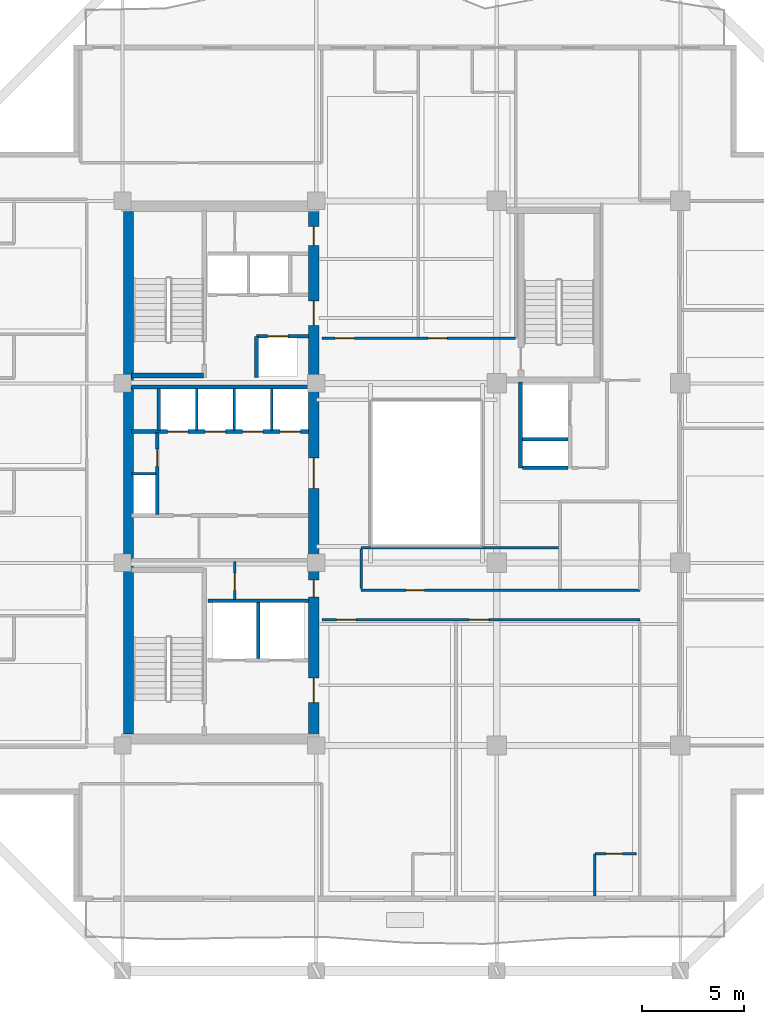
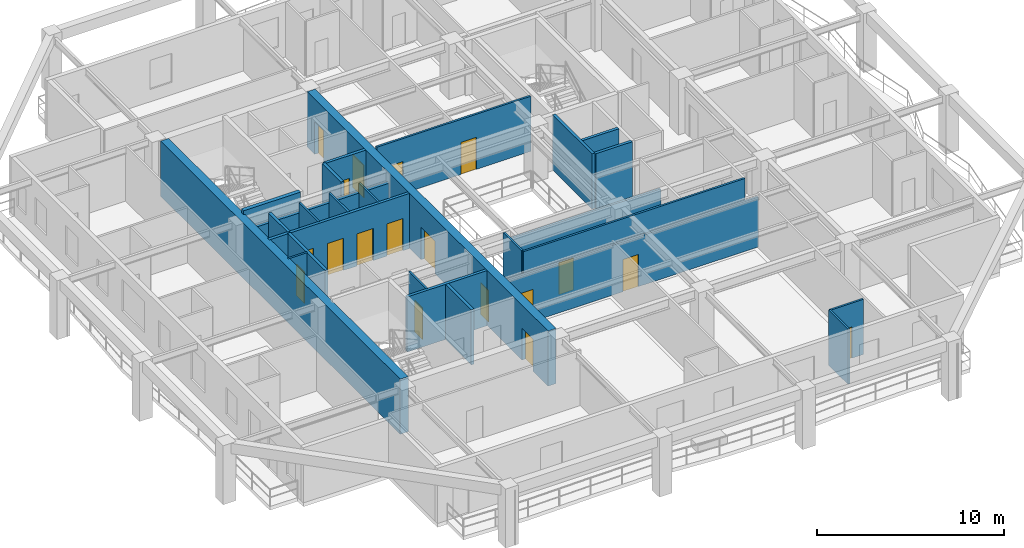
# One storey, part 4 of 13: 26 walls, 18 doors, 18 openings.
"""IFC4 building model written with IfcOpenShell, lengths in metres."""

from ifc_helpers import new_model, si_unit, direction, frame, frame_2d, origin, place, context, subcontext, project, spatial, rectangle, extrude, material, layer, layer_set, type_object, element, fill, save


model = new_model("IFC4")

# Units and contexts
model_context = context("Model", 3, precision=1e-05, world=origin(), true_north=direction((0.0, 1.0)))
body_context = subcontext(model_context, "Body", "Model", "MODEL_VIEW")
ifc_project = project(units=[si_unit("LENGTHUNIT", "METRE"), si_unit("AREAUNIT", "SQUARE_METRE"), si_unit("VOLUMEUNIT", "CUBIC_METRE"), si_unit("PLANEANGLEUNIT", "RADIAN"), si_unit("MASSUNIT", "GRAM", prefix="KILO")], contexts=[model_context])

# Site, building, storey
site_placement = place(None, origin())
site = spatial("IfcSite", under=ifc_project, at=site_placement, CompositionType="ELEMENT")
building_placement = place(site_placement, origin())
building = spatial("IfcBuilding", under=site, at=building_placement, Name="Kundavana Baori Tower", CompositionType="ELEMENT")
storey_placement = place(building_placement, frame((0.0, 0.0, 169.449951171875)))
storey = spatial("IfcBuildingStorey", under=building, at=storey_placement, Name="L41", CompositionType="ELEMENT", Elevation=169.449951171875)

# Walls
ifc_material_1 = material(Name="Concrete C50/60", Category="concrete")
ifc_layer_1 = layer(ifc_material_1, 0.39990234375, Name="WL-CORE-400")
ifc_layer_set_1 = layer_set([ifc_layer_1], Name="Concrete C50/60")
wall_type_1 = type_object("IfcWallType", Name="WL-CORE-400", PredefinedType="SHEAR", material=ifc_layer_set_1)
wall_1_placement = place(storey_placement, frame((15.89990234375, 33.389892578125, 0.0), z_axis=(0.0, 0.0, 1.0), x_axis=(1.0, 0.0, 0.0)))
element("IfcWall", 1, at=wall_1_placement, inside=storey, type_object=wall_type_1, Name="WL-L41-ST2-S", PredefinedType="SHEAR", context=body_context, shape_type="SweptSolid", body=[
    extrude(rectangle(XDim=3.52001953125, YDim=0.239990234375, at=frame_2d((1.760009765625, 0.0))), origin(), (0.0, 0.0, 1.0), 3.85009765625),
])
ifc_material_2 = material(Name="Concrete C50/60", Category="concrete")
ifc_layer_2 = layer(ifc_material_2, 0.5, Name="WL-CORE-500")
ifc_layer_set_2 = layer_set([ifc_layer_2], Name="Concrete C50/60")
wall_type_2 = type_object("IfcWallType", Name="WL-CORE-500", PredefinedType="SHEAR", material=ifc_layer_set_2)
wall_2_placement = place(storey_placement, frame((15.739990234375, 15.81005859375, 0.0), z_axis=(0.0, 0.0, 1.0), x_axis=(0.0, 1.0, 0.0)))
element("IfcWall", 2, at=wall_2_placement, inside=storey, type_object=wall_type_2, Name="L41 Offset Core West Shear Wall", PredefinedType="SHEAR", context=body_context, shape_type="SweptSolid", body=[
    extrude(rectangle(XDim=25.6298828125, YDim=0.5, at=frame_2d((12.81494140625, 0.0))), origin(), (0.0, 0.0, 1.0), 3.60009765625),
])

# Wall, openings, doors
wall_3_placement = place(storey_placement, frame((24.830078125, 15.739990234375, 0.0), z_axis=(0.0, 0.0, 1.0), x_axis=(0.0, 1.0, 0.0)))
wall_3 = element("IfcWall", 3, at=wall_3_placement, inside=storey, type_object=wall_type_2, Name="L41 Offset Core East Shear Wall", PredefinedType="SHEAR", context=body_context, shape_type="SweptSolid", body=[
    extrude(rectangle(XDim=25.760009765625, YDim=0.5, at=frame_2d((12.8798828125, 0.0))), origin(), (0.0, 0.0, 1.0), 3.60009765625),
])
opening_1_placement = place(wall_3_placement, frame((1.610107421875, 0.0, 0.0)))
opening_1 = element("IfcOpeningElement", 4, at=opening_1_placement, cuts=wall_3, Name="Opening FD-120", PredefinedType="OPENING", context=body_context, shape_type="SweptSolid", body=[
    extrude(rectangle(XDim=1.199951171875, YDim=2.10009765625, at=frame_2d((0.60009765625, 1.050048828125))), frame((0.0, 0.260009765625, 0.0), z_axis=(0.0, -1.0, 0.0), x_axis=(1.0, 0.0, 0.0)), (0.0, 0.0, 1.0), 0.52001953125),
])
opening_2_placement = place(wall_3_placement, frame((6.780029296875, 0.0, 0.0)))
opening_2 = element("IfcOpeningElement", 5, at=opening_2_placement, cuts=wall_3, Name="Opening FD-085", PredefinedType="OPENING", context=body_context, shape_type="SweptSolid", body=[
    extrude(rectangle(XDim=0.85009765625, YDim=2.06005859375, at=frame_2d((0.425048828125, 1.030029296875))), frame((0.0, 0.260009765625, 0.0), z_axis=(0.0, -1.0, 0.0), x_axis=(1.0, 0.0, 0.0)), (0.0, 0.0, 1.0), 0.52001953125),
])
opening_3_placement = place(wall_3_placement, frame((12.110107421875, 0.0, 0.0)))
opening_3 = element("IfcOpeningElement", 6, at=opening_3_placement, cuts=wall_3, Name="Opening FD-150", PredefinedType="OPENING", context=body_context, shape_type="SweptSolid", body=[
    extrude(rectangle(XDim=1.5, YDim=2.1201171875, at=frame_2d((0.75, 1.06005859375))), frame((0.0, 0.260009765625, 0.0), z_axis=(0.0, -1.0, 0.0), x_axis=(1.0, 0.0, 0.0)), (0.0, 0.0, 1.0), 0.52001953125),
])
opening_4_placement = place(wall_3_placement, frame((20.110107421875, 0.0, 0.0)))
opening_4 = element("IfcOpeningElement", 7, at=opening_4_placement, cuts=wall_3, Name="Opening FD-122", PredefinedType="OPENING", context=body_context, shape_type="SweptSolid", body=[
    extrude(rectangle(XDim=1.199951171875, YDim=2.1201171875, at=frame_2d((0.60009765625, 1.06005859375))), frame((0.0, 0.260009765625, 0.0), z_axis=(0.0, -1.0, 0.0), x_axis=(1.0, 0.0, 0.0)), (0.0, 0.0, 1.0), 0.52001953125),
])
opening_5_placement = place(wall_3_placement, frame((24.010009765625, 0.0, 0.0)))
opening_5 = element("IfcOpeningElement", 8, at=opening_5_placement, cuts=wall_3, Name="Opening FD-095", PredefinedType="OPENING", context=body_context, shape_type="SweptSolid", body=[
    extrude(rectangle(XDim=0.949951171875, YDim=2.10009765625, at=frame_2d((0.47509765625, 1.050048828125))), frame((0.0, 0.260009765625, 0.0), z_axis=(0.0, -1.0, 0.0), x_axis=(1.0, 0.0, 0.0)), (0.0, 0.0, 1.0), 0.52001953125),
])
ifc_material_3 = material(Name="Galvanised Steel Fire-Rated Door Leaf", Category="steel")
door_type_1 = type_object("IfcDoorType", Name="DR-FD120-1200", OperationType="NOTDEFINED", PredefinedType="DOOR", material=ifc_material_3)
door_1_placement = place(opening_1_placement, frame((1.199951171875, 0.0, 0.0), z_axis=(0.0, 0.0, 1.0), x_axis=(-1.0, 0.0, 0.0)))
door_1 = element("IfcDoor", 9, at=door_1_placement, inside=storey, type_object=door_type_1, Name="DR-L41-FFLOB-E", OperationType="SINGLE_SWING_RIGHT", OverallHeight=2.10009765625, OverallWidth=1.199951171875, PredefinedType="DOOR", context=body_context, shape_type="SweptSolid", body=[
    extrude(rectangle(XDim=1.199951171875, YDim=2.10009765625, at=frame_2d((0.60009765625, 1.050048828125))), frame((0.0, 0.02490234375, 0.0), z_axis=(0.0, -1.0, 0.0), x_axis=(1.0, 0.0, 0.0)), (0.0, 0.0, 1.0), 0.050048828125),
])
fill(opening_1, door_1)
ifc_material_4 = material(Name="Galvanised Steel Fire-Rated Door Leaf", Category="steel")
door_type_2 = type_object("IfcDoorType", Name="DR-FD60-1200", OperationType="NOTDEFINED", PredefinedType="DOOR", material=ifc_material_4)
door_2_placement = place(opening_4_placement, frame((1.199951171875, 0.0, 0.0), z_axis=(0.0, 0.0, 1.0), x_axis=(-1.0, 0.0, 0.0)))
door_2 = element("IfcDoor", 10, at=door_2_placement, inside=storey, type_object=door_type_2, Name="DR-L41-HRLOB-E", OperationType="SINGLE_SWING_RIGHT", OverallHeight=2.1201171875, OverallWidth=1.199951171875, PredefinedType="DOOR", context=body_context, shape_type="SweptSolid", body=[
    extrude(rectangle(XDim=1.199951171875, YDim=2.1201171875, at=frame_2d((0.60009765625, 1.06005859375))), frame((0.0, 0.02490234375, 0.0), z_axis=(0.0, -1.0, 0.0), x_axis=(1.0, 0.0, 0.0)), (0.0, 0.0, 1.0), 0.050048828125),
])
fill(opening_4, door_2)
ifc_material_5 = material(Name="Galvanised Steel Fire-Rated Door Leaf", Category="steel")
door_type_3 = type_object("IfcDoorType", Name="DR-FD60-1500", OperationType="NOTDEFINED", PredefinedType="DOOR", material=ifc_material_5)
door_3_placement = place(opening_3_placement, frame((1.5, 0.0, 0.0), z_axis=(0.0, 0.0, 1.0), x_axis=(-1.0, 0.0, 0.0)))
door_3 = element("IfcDoor", 11, at=door_3_placement, inside=storey, type_object=door_type_3, Name="DR-L41-LIFTHALL-E", OperationType="SINGLE_SWING_LEFT", OverallHeight=2.1201171875, OverallWidth=1.5, PredefinedType="DOOR", context=body_context, shape_type="SweptSolid", body=[
    extrude(rectangle(XDim=1.5, YDim=2.1201171875, at=frame_2d((0.75, 1.06005859375))), frame((0.0, 0.02490234375, 0.0), z_axis=(0.0, -1.0, 0.0), x_axis=(1.0, 0.0, 0.0)), (0.0, 0.0, 1.0), 0.050048828125),
])
fill(opening_3, door_3)
ifc_material_6 = material(Name="Galvanised Steel Fire-Rated Door Leaf", Category="steel")
door_type_4 = type_object("IfcDoorType", Name="DR-FD60-850", OperationType="NOTDEFINED", PredefinedType="DOOR", material=ifc_material_6)
door_4_placement = place(opening_2_placement, frame((0.85009765625, 0.0, 0.0), z_axis=(0.0, 0.0, 1.0), x_axis=(-1.0, 0.0, 0.0)))
door_4 = element("IfcDoor", 12, at=door_4_placement, inside=storey, type_object=door_type_4, Name="DR-L41-CSMK2", OperationType="SINGLE_SWING_LEFT", OverallHeight=2.06005859375, OverallWidth=0.85009765625, PredefinedType="DOOR", context=body_context, shape_type="SweptSolid", body=[
    extrude(rectangle(XDim=0.85009765625, YDim=2.06005859375, at=frame_2d((0.425048828125, 1.030029296875))), frame((0.0, 0.02490234375, 0.0), z_axis=(0.0, -1.0, 0.0), x_axis=(1.0, 0.0, 0.0)), (0.0, 0.0, 1.0), 0.050048828125),
])
fill(opening_2, door_4)
ifc_material_7 = material(Name="Engineered Teak Fire-Rated Timber Door Leaf", Category="wood")
door_type_5 = type_object("IfcDoorType", Name="DR-FD60-950", OperationType="NOTDEFINED", PredefinedType="DOOR", material=ifc_material_7)
door_5_placement = place(opening_5_placement, frame((0.949951171875, 0.0, 0.0), z_axis=(0.0, 0.0, 1.0), x_axis=(-1.0, 0.0, 0.0)))
door_5 = element("IfcDoor", 13, at=door_5_placement, inside=storey, type_object=door_type_5, Name="DR-L41-CSRV2", OperationType="SINGLE_SWING_LEFT", OverallHeight=2.10009765625, OverallWidth=0.949951171875, PredefinedType="DOOR", context=body_context, shape_type="SweptSolid", body=[
    extrude(rectangle(XDim=0.949951171875, YDim=2.10009765625, at=frame_2d((0.47509765625, 1.050048828125))), frame((0.0, 0.02490234375, 0.0), z_axis=(0.0, -1.0, 0.0), x_axis=(1.0, 0.0, 0.0)), (0.0, 0.0, 1.0), 0.050048828125),
])
fill(opening_5, door_5)

# Wall, opening, door
ifc_material_8 = material(Name="Acoustic Gypsum Plasterboard on Galvanised Steel Studs", Category="steel")
ifc_layer_3 = layer(ifc_material_8, 0.1201171875, Name="WL-PART-120")
ifc_layer_set_3 = layer_set([ifc_layer_3], Name="Acoustic Gypsum Plasterboard on Galvanised Steel Studs")
wall_type_3 = type_object("IfcWallType", Name="WL-PART-120", PredefinedType="PARTITIONING", material=ifc_layer_set_3)
wall_4_placement = place(storey_placement, frame((20.949951171875, 22.39990234375, 0.0), z_axis=(0.0, 0.0, 1.0), x_axis=(0.0, 1.0, 0.0)))
wall_4 = element("IfcWall", 14, at=wall_4_placement, inside=storey, type_object=wall_type_3, Name="WL-L41-CSMK-D2", PredefinedType="PARTITIONING", context=body_context, shape_type="SweptSolid", body=[
    extrude(rectangle(XDim=1.880126953125, YDim=0.1201171875, at=frame_2d((0.93994140625, 0.0))), origin(), (0.0, 0.0, 1.0), 3.60009765625),
])
opening_6_placement = place(wall_4_placement, frame((0.449951171875, 0.0, 0.0)))
opening_6 = element("IfcOpeningElement", 15, at=opening_6_placement, cuts=wall_4, Name="Opening FD-085", PredefinedType="OPENING", context=body_context, shape_type="SweptSolid", body=[
    extrude(rectangle(XDim=0.85009765625, YDim=2.06005859375, at=frame_2d((0.425048828125, 1.030029296875))), frame((0.0, 0.070068359375, 0.0), z_axis=(0.0, -1.0, 0.0), x_axis=(1.0, 0.0, 0.0)), (0.0, 0.0, 1.0), 0.14013671875),
])
door_6_placement = place(opening_6_placement, origin())
door_6 = element("IfcDoor", 16, at=door_6_placement, inside=storey, type_object=door_type_4, Name="DR-L41-CSMK1", OperationType="SINGLE_SWING_RIGHT", OverallHeight=2.06005859375, OverallWidth=0.85009765625, PredefinedType="DOOR", context=body_context, shape_type="SweptSolid", body=[
    extrude(rectangle(XDim=0.85009765625, YDim=2.06005859375, at=frame_2d((0.425048828125, 1.030029296875))), frame((0.0, 0.02490234375, 0.0), z_axis=(0.0, -1.0, 0.0), x_axis=(1.0, 0.0, 0.0)), (0.0, 0.0, 1.0), 0.050048828125),
])
fill(opening_6, door_6)

# Walls
wall_5_placement = place(storey_placement, frame((15.89990234375, 28.56005859375, 0.0), z_axis=(0.0, 0.0, 1.0), x_axis=(1.0, 0.0, 0.0)))
element("IfcWall", 17, at=wall_5_placement, inside=storey, type_object=wall_type_3, Name="WL-L41-RSRW-N", PredefinedType="PARTITIONING", context=body_context, shape_type="SweptSolid", body=[
    extrude(rectangle(XDim=1.2001953125, YDim=0.1201171875, at=frame_2d((0.60009765625, 0.0))), origin(), (0.0, 0.0, 1.0), 3.60009765625),
])
for number, where, z_axis, x_axis, name in (
    (18, (19.080078125, 30.699951171875, 0.0), (0.0, 0.0, 1.0), (0.0, 1.0, 0.0), "WL-L41-LPMID-D1"),
    (19, (20.919921875, 30.699951171875, 0.0), (0.0, 0.0, 1.0), (0.0, 1.0, 0.0), "WL-L41-LPMID-D2"),
    (20, (22.760009765625, 30.699951171875, 0.0), (0.0, 0.0, 1.0), (0.0, 1.0, 0.0), "WL-L41-LPMID-D3"),
):
    element("IfcWall", number, at=place(storey_placement, frame(where, z_axis=z_axis, x_axis=x_axis)), inside=storey, type_object=wall_type_3, Name=name, PredefinedType="PARTITIONING", context=body_context, shape_type="SweptSolid", body=[
        extrude(rectangle(XDim=2.050048828125, YDim=0.1201171875, at=frame_2d((1.02490234375, 0.0))), origin(), (0.0, 0.0, 1.0), 3.60009765625),
    ])
ifc_material_9 = material(Name="Autoclaved Aerated Concrete Blockwork Masonry", Category="masonry")
ifc_layer_4 = layer(ifc_material_9, 0.179931640625, Name="WL-SHAFT-180")
ifc_layer_set_4 = layer_set([ifc_layer_4], Name="Autoclaved Aerated Concrete Blockwork Masonry")
wall_type_4 = type_object("IfcWallType", Name="WL-SHAFT-180", PredefinedType="SOLIDWALL", material=ifc_layer_set_4)
wall_6_placement = place(storey_placement, frame((22.10009765625, 19.510009765625, 0.0), z_axis=(0.0, 0.0, 1.0), x_axis=(0.0, 1.0, 0.0)))
element("IfcWall", 21, at=wall_6_placement, inside=storey, type_object=wall_type_4, Name="WL-L41-FFL-MID", PredefinedType="SOLIDWALL", context=body_context, shape_type="SweptSolid", body=[
    extrude(rectangle(XDim=2.739990234375, YDim=0.179931640625, at=frame_2d((1.3701171875, 0.0))), origin(), (0.0, 0.0, 1.0), 3.60009765625),
])
wall_7_placement = place(storey_placement, frame((19.639892578125, 22.340087890625, 0.0), z_axis=(0.0, 0.0, 1.0), x_axis=(1.0, 0.0, 0.0)))
element("IfcWall", 22, at=wall_7_placement, inside=storey, type_object=wall_type_4, Name="WL-L41-FFL-N", PredefinedType="SOLIDWALL", context=body_context, shape_type="SweptSolid", body=[
    extrude(rectangle(XDim=4.940185546875, YDim=0.179931640625, at=frame_2d((2.47021484375, 0.0))), origin(), (0.0, 0.0, 1.0), 3.60009765625),
])

# Wall, opening, door
wall_8_placement = place(storey_placement, frame((17.159912109375, 26.580078125, 0.0), z_axis=(0.0, 0.0, 1.0), x_axis=(0.0, 1.0, 0.0)))
wall_8 = element("IfcWall", 23, at=wall_8_placement, inside=storey, type_object=wall_type_4, Name="WL-L41-RSRW-E", PredefinedType="SOLIDWALL", context=body_context, shape_type="SweptSolid", body=[
    extrude(rectangle(XDim=4.02001953125, YDim=0.179931640625, at=frame_2d((2.010009765625, 0.0))), origin(), (0.0, 0.0, 1.0), 3.60009765625),
])
opening_7_placement = place(wall_8_placement, frame((2.35009765625, 0.0, 0.0)))
opening_7 = element("IfcOpeningElement", 24, at=opening_7_placement, cuts=wall_8, Name="Opening FD-085", PredefinedType="OPENING", context=body_context, shape_type="SweptSolid", body=[
    extrude(rectangle(XDim=0.85009765625, YDim=2.06005859375, at=frame_2d((0.425048828125, 1.030029296875))), frame((0.0, 0.10009765625, 0.0), z_axis=(0.0, -1.0, 0.0), x_axis=(1.0, 0.0, 0.0)), (0.0, 0.0, 1.0), 0.199951171875),
])
door_7_placement = place(opening_7_placement, origin())
door_7 = element("IfcDoor", 25, at=door_7_placement, inside=storey, type_object=door_type_4, Name="DR-L41-CLN", OperationType="SINGLE_SWING_RIGHT", OverallHeight=2.06005859375, OverallWidth=0.85009765625, PredefinedType="DOOR", context=body_context, shape_type="SweptSolid", body=[
    extrude(rectangle(XDim=0.85009765625, YDim=2.06005859375, at=frame_2d((0.425048828125, 1.030029296875))), frame((0.0, 0.02490234375, 0.0), z_axis=(0.0, -1.0, 0.0), x_axis=(1.0, 0.0, 0.0)), (0.0, 0.0, 1.0), 0.050048828125),
])
fill(opening_7, door_7)

# Wall, openings, doors
wall_9_placement = place(storey_placement, frame((15.89990234375, 30.639892578125, 0.0), z_axis=(0.0, 0.0, 1.0), x_axis=(1.0, 0.0, 0.0)))
wall_9 = element("IfcWall", 26, at=wall_9_placement, inside=storey, type_object=wall_type_4, Name="WL-L41-LPMID-S", PredefinedType="SOLIDWALL", context=body_context, shape_type="SweptSolid", body=[
    extrude(rectangle(XDim=8.68017578125, YDim=0.179931640625, at=frame_2d((4.340087890625, 0.0))), origin(), (0.0, 0.0, 1.0), 3.60009765625),
])
opening_8_placement = place(wall_9_placement, frame((1.760009765625, 0.0, 0.0)))
opening_8 = element("IfcOpeningElement", 27, at=opening_8_placement, cuts=wall_9, Name="Opening LD-100", PredefinedType="OPENING", context=body_context, shape_type="SweptSolid", body=[
    extrude(rectangle(XDim=1.0, YDim=2.10009765625, at=frame_2d((0.5, 1.050048828125))), frame((0.0, 0.10009765625, 0.0), z_axis=(0.0, -1.0, 0.0), x_axis=(1.0, 0.0, 0.0)), (0.0, 0.0, 1.0), 0.199951171875),
])
opening_9_placement = place(wall_9_placement, frame((3.60009765625, 0.0, 0.0)))
opening_9 = element("IfcOpeningElement", 28, at=opening_9_placement, cuts=wall_9, Name="Opening LD-100", PredefinedType="OPENING", context=body_context, shape_type="SweptSolid", body=[
    extrude(rectangle(XDim=1.0, YDim=2.10009765625, at=frame_2d((0.5, 1.050048828125))), frame((0.0, 0.10009765625, 0.0), z_axis=(0.0, -1.0, 0.0), x_axis=(1.0, 0.0, 0.0)), (0.0, 0.0, 1.0), 0.199951171875),
])
opening_10_placement = place(wall_9_placement, frame((5.43994140625, 0.0, 0.0)))
opening_10 = element("IfcOpeningElement", 29, at=opening_10_placement, cuts=wall_9, Name="Opening LD-100", PredefinedType="OPENING", context=body_context, shape_type="SweptSolid", body=[
    extrude(rectangle(XDim=1.0, YDim=2.10009765625, at=frame_2d((0.5, 1.050048828125))), frame((0.0, 0.10009765625, 0.0), z_axis=(0.0, -1.0, 0.0), x_axis=(1.0, 0.0, 0.0)), (0.0, 0.0, 1.0), 0.199951171875),
])
opening_11_placement = place(wall_9_placement, frame((7.280029296875, 0.0, 0.0)))
opening_11 = element("IfcOpeningElement", 30, at=opening_11_placement, cuts=wall_9, Name="Opening LD-100", PredefinedType="OPENING", context=body_context, shape_type="SweptSolid", body=[
    extrude(rectangle(XDim=1.0, YDim=2.10009765625, at=frame_2d((0.5, 1.050048828125))), frame((0.0, 0.10009765625, 0.0), z_axis=(0.0, -1.0, 0.0), x_axis=(1.0, 0.0, 0.0)), (0.0, 0.0, 1.0), 0.199951171875),
])
ifc_material_10 = material(Name="Galvanised Steel Fire-Rated Door Leaf", Category="steel")
door_type_6 = type_object("IfcDoorType", Name="DR-SLIDE-LD1000", OperationType="NOTDEFINED", PredefinedType="DOOR", material=ifc_material_10)
door_8_placement = place(opening_8_placement, frame((1.0, 0.0, 0.0), z_axis=(0.0, 0.0, 1.0), x_axis=(-1.0, 0.0, 0.0)))
door_8 = element("IfcDoor", 31, at=door_8_placement, inside=storey, type_object=door_type_6, Name="DR-L41-LD-LP-05", OperationType="DOUBLE_DOOR_SLIDING", OverallHeight=2.10009765625, OverallWidth=1.0, PredefinedType="DOOR", context=body_context, shape_type="SweptSolid", body=[
    extrude(rectangle(XDim=1.0, YDim=2.10009765625, at=frame_2d((0.5, 1.050048828125))), frame((0.0, 0.02490234375, 0.0), z_axis=(0.0, -1.0, 0.0), x_axis=(1.0, 0.0, 0.0)), (0.0, 0.0, 1.0), 0.050048828125),
])
fill(opening_8, door_8)
door_9_placement = place(opening_9_placement, frame((1.0, 0.0, 0.0), z_axis=(0.0, 0.0, 1.0), x_axis=(-1.0, 0.0, 0.0)))
door_9 = element("IfcDoor", 32, at=door_9_placement, inside=storey, type_object=door_type_6, Name="DR-L41-LD-LP-06", OperationType="DOUBLE_DOOR_SLIDING", OverallHeight=2.10009765625, OverallWidth=1.0, PredefinedType="DOOR", context=body_context, shape_type="SweptSolid", body=[
    extrude(rectangle(XDim=1.0, YDim=2.10009765625, at=frame_2d((0.5, 1.050048828125))), frame((0.0, 0.02490234375, 0.0), z_axis=(0.0, -1.0, 0.0), x_axis=(1.0, 0.0, 0.0)), (0.0, 0.0, 1.0), 0.050048828125),
])
fill(opening_9, door_9)
door_10_placement = place(opening_10_placement, frame((1.0, 0.0, 0.0), z_axis=(0.0, 0.0, 1.0), x_axis=(-1.0, 0.0, 0.0)))
door_10 = element("IfcDoor", 33, at=door_10_placement, inside=storey, type_object=door_type_6, Name="DR-L41-LD-LP-07", OperationType="DOUBLE_DOOR_SLIDING", OverallHeight=2.10009765625, OverallWidth=1.0, PredefinedType="DOOR", context=body_context, shape_type="SweptSolid", body=[
    extrude(rectangle(XDim=1.0, YDim=2.10009765625, at=frame_2d((0.5, 1.050048828125))), frame((0.0, 0.02490234375, 0.0), z_axis=(0.0, -1.0, 0.0), x_axis=(1.0, 0.0, 0.0)), (0.0, 0.0, 1.0), 0.050048828125),
])
fill(opening_10, door_10)
door_11_placement = place(opening_11_placement, frame((1.0, 0.0, 0.0), z_axis=(0.0, 0.0, 1.0), x_axis=(-1.0, 0.0, 0.0)))
door_11 = element("IfcDoor", 34, at=door_11_placement, inside=storey, type_object=door_type_6, Name="DR-L41-LD-LP-08", OperationType="DOUBLE_DOOR_SLIDING", OverallHeight=2.10009765625, OverallWidth=1.0, PredefinedType="DOOR", context=body_context, shape_type="SweptSolid", body=[
    extrude(rectangle(XDim=1.0, YDim=2.10009765625, at=frame_2d((0.5, 1.050048828125))), frame((0.0, 0.02490234375, 0.0), z_axis=(0.0, -1.0, 0.0), x_axis=(1.0, 0.0, 0.0)), (0.0, 0.0, 1.0), 0.050048828125),
])
fill(opening_11, door_11)

# Walls
wall_10_placement = place(storey_placement, frame((15.89990234375, 32.820068359375, 0.0), z_axis=(0.0, 0.0, 1.0), x_axis=(1.0, 0.0, 0.0)))
element("IfcWall", 35, at=wall_10_placement, inside=storey, type_object=wall_type_4, Name="WL-L41-LPMID-N", PredefinedType="SOLIDWALL", context=body_context, shape_type="SweptSolid", body=[
    extrude(rectangle(XDim=8.68017578125, YDim=0.179931640625, at=frame_2d((4.340087890625, 0.0))), origin(), (0.0, 0.0, 1.0), 2.949951171875),
])
wall_11_placement = place(storey_placement, frame((17.219970703125, 30.699951171875, 0.0), z_axis=(0.0, 0.0, 1.0), x_axis=(0.0, 1.0, 0.0)))
element("IfcWall", 36, at=wall_11_placement, inside=storey, type_object=wall_type_4, Name="WL-L41-LPMID-W", PredefinedType="SOLIDWALL", context=body_context, shape_type="SweptSolid", body=[
    extrude(rectangle(XDim=2.050048828125, YDim=0.179931640625, at=frame_2d((1.02490234375, 0.0))), origin(), (0.0, 0.0, 1.0), 3.60009765625),
])

# Wall, opening, door
wall_12_placement = place(storey_placement, frame((22.02001953125, 35.31005859375, 0.0), z_axis=(0.0, 0.0, 1.0), x_axis=(1.0, 0.0, 0.0)))
wall_12 = element("IfcWall", 37, at=wall_12_placement, inside=storey, type_object=wall_type_4, Name="WL-L41-LP11-N", PredefinedType="SOLIDWALL", context=body_context, shape_type="SweptSolid", body=[
    extrude(rectangle(XDim=2.56005859375, YDim=0.179931640625, at=frame_2d((1.280029296875, 0.0))), origin(), (0.0, 0.0, 1.0), 3.60009765625),
])
opening_12_placement = place(wall_12_placement, frame((0.550048828125, 0.0, 0.0)))
opening_12 = element("IfcOpeningElement", 38, at=opening_12_placement, cuts=wall_12, Name="Opening LD-100", PredefinedType="OPENING", context=body_context, shape_type="SweptSolid", body=[
    extrude(rectangle(XDim=1.0, YDim=2.10009765625, at=frame_2d((0.5, 1.050048828125))), frame((0.0, 0.10009765625, 0.0), z_axis=(0.0, -1.0, 0.0), x_axis=(1.0, 0.0, 0.0)), (0.0, 0.0, 1.0), 0.199951171875),
])
door_12_placement = place(opening_12_placement, origin())
door_12 = element("IfcDoor", 39, at=door_12_placement, inside=storey, type_object=door_type_6, Name="DR-L41-LD-LP11", OperationType="DOUBLE_DOOR_SLIDING", OverallHeight=2.10009765625, OverallWidth=1.0, PredefinedType="DOOR", context=body_context, shape_type="SweptSolid", body=[
    extrude(rectangle(XDim=1.0, YDim=2.10009765625, at=frame_2d((0.5, 1.050048828125))), frame((0.0, 0.02490234375, 0.0), z_axis=(0.0, -1.0, 0.0), x_axis=(1.0, 0.0, 0.0)), (0.0, 0.0, 1.0), 0.050048828125),
])
fill(opening_12, door_12)

# Walls
wall_13_placement = place(storey_placement, frame((22.02001953125, 33.300048828125, 0.0), z_axis=(0.0, 0.0, 1.0), x_axis=(0.0, 1.0, 0.0)))
element("IfcWall", 40, at=wall_13_placement, inside=storey, type_object=wall_type_4, Name="WL-L41-LP11-W", PredefinedType="SOLIDWALL", context=body_context, shape_type="SweptSolid", body=[
    extrude(rectangle(XDim=2.010009765625, YDim=0.179931640625, at=frame_2d((1.0048828125, 0.0))), origin(), (0.0, 0.0, 1.0), 3.60009765625),
])
wall_14_placement = place(storey_placement, frame((34.9599609375, 28.860107421875, 0.0), z_axis=(0.0, 0.0, 1.0), x_axis=(0.0, 1.0, 0.0)))
element("IfcWall", 41, at=wall_14_placement, inside=storey, type_object=wall_type_4, Name="WL-L41-SVL-W", PredefinedType="SOLIDWALL", context=body_context, shape_type="SweptSolid", body=[
    extrude(rectangle(XDim=4.219970703125, YDim=0.179931640625, at=frame_2d((2.10986328125, 0.0))), origin(), (0.0, 0.0, 1.0), 3.60009765625),
])
for number, where, z_axis, x_axis, name in (
    (42, (35.050048828125, 28.860107421875, 0.0), (0.0, 0.0, 1.0), (1.0, 0.0, 0.0), "WL-L41-SVL-S"),
    (43, (35.050048828125, 30.27001953125, 0.0), (0.0, 0.0, 1.0), (1.0, 0.0, 0.0), "WL-L41-SVL-M"),
):
    element("IfcWall", number, at=place(storey_placement, frame(where, z_axis=z_axis, x_axis=x_axis)), inside=storey, type_object=wall_type_4, Name=name, PredefinedType="SOLIDWALL", context=body_context, shape_type="SweptSolid", body=[
        extrude(rectangle(XDim=2.25, YDim=0.179931640625, at=frame_2d((1.125, 0.0))), origin(), (0.0, 0.0, 1.0), 3.60009765625),
    ])

# Wall, openings, doors
ifc_material_11 = material(Name="Autoclaved Aerated Concrete Blockwork Masonry", Category="masonry")
ifc_layer_5 = layer(ifc_material_11, 0.125, Name="WL-WET-120")
ifc_layer_set_5 = layer_set([ifc_layer_5], Name="Autoclaved Aerated Concrete Blockwork Masonry")
wall_type_5 = type_object("IfcWallType", Name="WL-WET-120", PredefinedType="PLUMBINGWALL", material=ifc_layer_set_5)
wall_15_placement = place(storey_placement, frame((25.219970703125, 21.419921875, 0.0), z_axis=(0.0, 0.0, 1.0), x_axis=(1.0, 0.0, 0.0)))
wall_15 = element("IfcWall", 44, at=wall_15_placement, inside=storey, type_object=wall_type_5, Name="WL-L41-HS", PredefinedType="PLUMBINGWALL", context=body_context, shape_type="SweptSolid", body=[
    extrude(rectangle(XDim=15.60009765625, YDim=0.125, at=frame_2d((7.800048828125, 0.0))), origin(), (0.0, 0.0, 1.0), 3.25),
])
opening_13_placement = place(wall_15_placement, frame((0.72998046875, 0.0, 0.0)))
opening_13 = element("IfcOpeningElement", 45, at=opening_13_placement, cuts=wall_15, Name="Opening FD-095", PredefinedType="OPENING", context=body_context, shape_type="SweptSolid", body=[
    extrude(rectangle(XDim=0.949951171875, YDim=2.10009765625, at=frame_2d((0.47509765625, 1.050048828125))), frame((0.0, 0.072509765625, 0.0), z_axis=(0.0, -1.0, 0.0), x_axis=(1.0, 0.0, 0.0)), (0.0, 0.0, 1.0), 0.14501953125),
])
opening_14_placement = place(wall_15_placement, frame((7.22998046875, 0.0, 0.0)))
opening_14 = element("IfcOpeningElement", 46, at=opening_14_placement, cuts=wall_15, Name="Opening FD-095", PredefinedType="OPENING", context=body_context, shape_type="SweptSolid", body=[
    extrude(rectangle(XDim=0.949951171875, YDim=2.10009765625, at=frame_2d((0.47509765625, 1.050048828125))), frame((0.0, 0.072509765625, 0.0), z_axis=(0.0, -1.0, 0.0), x_axis=(1.0, 0.0, 0.0)), (0.0, 0.0, 1.0), 0.14501953125),
])
door_13_placement = place(opening_13_placement, frame((0.949951171875, 0.0, 0.0), z_axis=(0.0, 0.0, 1.0), x_axis=(-1.0, 0.0, 0.0)))
door_13 = element("IfcDoor", 47, at=door_13_placement, inside=storey, type_object=door_type_5, Name="DR-L41-HK-S1-ENT", OperationType="SINGLE_SWING_RIGHT", OverallHeight=2.10009765625, OverallWidth=0.949951171875, PredefinedType="DOOR", context=body_context, shape_type="SweptSolid", body=[
    extrude(rectangle(XDim=0.949951171875, YDim=2.10009765625, at=frame_2d((0.47509765625, 1.050048828125))), frame((0.0, 0.02490234375, 0.0), z_axis=(0.0, -1.0, 0.0), x_axis=(1.0, 0.0, 0.0)), (0.0, 0.0, 1.0), 0.050048828125),
])
fill(opening_13, door_13)
door_14_placement = place(opening_14_placement, frame((0.949951171875, 0.0, 0.0), z_axis=(0.0, 0.0, 1.0), x_axis=(-1.0, 0.0, 0.0)))
door_14 = element("IfcDoor", 48, at=door_14_placement, inside=storey, type_object=door_type_5, Name="DR-L41-HK-S2-ENT", OperationType="SINGLE_SWING_RIGHT", OverallHeight=2.10009765625, OverallWidth=0.949951171875, PredefinedType="DOOR", context=body_context, shape_type="SweptSolid", body=[
    extrude(rectangle(XDim=0.949951171875, YDim=2.10009765625, at=frame_2d((0.47509765625, 1.050048828125))), frame((0.0, 0.02490234375, 0.0), z_axis=(0.0, -1.0, 0.0), x_axis=(1.0, 0.0, 0.0)), (0.0, 0.0, 1.0), 0.050048828125),
])
fill(opening_14, door_14)

# Wall, opening, door
wall_16_placement = place(storey_placement, frame((27.14990234375, 22.860107421875, 0.0), z_axis=(0.0, 0.0, 1.0), x_axis=(1.0, 0.0, 0.0)))
wall_16 = element("IfcWall", 49, at=wall_16_placement, inside=storey, type_object=wall_type_5, Name="WL-L41-HST", PredefinedType="PLUMBINGWALL", context=body_context, shape_type="SweptSolid", body=[
    extrude(rectangle(XDim=13.670166015625, YDim=0.125, at=frame_2d((6.8349609375, 0.0))), origin(), (0.0, 0.0, 1.0), 3.60009765625),
])
opening_15_placement = place(wall_16_placement, frame((2.199951171875, 0.0, 0.0)))
opening_15 = element("IfcOpeningElement", 50, at=opening_15_placement, cuts=wall_16, Name="Opening ID-090", PredefinedType="OPENING", context=body_context, shape_type="SweptSolid", body=[
    extrude(rectangle(XDim=0.89990234375, YDim=2.080078125, at=frame_2d((0.449951171875, 1.0400390625))), frame((0.0, 0.072509765625, 0.0), z_axis=(0.0, -1.0, 0.0), x_axis=(1.0, 0.0, 0.0)), (0.0, 0.0, 1.0), 0.14501953125),
])
ifc_material_12 = material(Name="Engineered Teak Solid-Core Timber Veneer", Category="wood")
door_type_7 = type_object("IfcDoorType", Name="DR-INT-900", OperationType="NOTDEFINED", PredefinedType="DOOR", material=ifc_material_12)
door_15_placement = place(opening_15_placement, origin())
door_15 = element("IfcDoor", 51, at=door_15_placement, inside=storey, type_object=door_type_7, Name="DR-L41-HPNT", OperationType="SINGLE_SWING_LEFT", OverallHeight=2.080078125, OverallWidth=0.89990234375, PredefinedType="DOOR", context=body_context, shape_type="SweptSolid", body=[
    extrude(rectangle(XDim=0.89990234375, YDim=2.080078125, at=frame_2d((0.449951171875, 1.0400390625))), frame((0.0, 0.02490234375, 0.0), z_axis=(0.0, -1.0, 0.0), x_axis=(1.0, 0.0, 0.0)), (0.0, 0.0, 1.0), 0.050048828125),
])
fill(opening_15, door_15)

# Wall, openings, doors
wall_17_placement = place(storey_placement, frame((25.219970703125, 35.219970703125, 0.0), z_axis=(0.0, 0.0, 1.0), x_axis=(1.0, 0.0, 0.0)))
wall_17 = element("IfcWall", 52, at=wall_17_placement, inside=storey, type_object=wall_type_5, Name="WL-L41-HN", PredefinedType="PLUMBINGWALL", context=body_context, shape_type="SweptSolid", body=[
    extrude(rectangle(XDim=9.5, YDim=0.125, at=frame_2d((4.75, 0.0))), origin(), (0.0, 0.0, 1.0), 3.60009765625),
])
opening_16_placement = place(wall_17_placement, frame((0.64990234375, 0.0, 0.0)))
opening_16 = element("IfcOpeningElement", 53, at=opening_16_placement, cuts=wall_17, Name="Opening FD-095", PredefinedType="OPENING", context=body_context, shape_type="SweptSolid", body=[
    extrude(rectangle(XDim=0.949951171875, YDim=2.10009765625, at=frame_2d((0.47509765625, 1.050048828125))), frame((0.0, 0.072509765625, 0.0), z_axis=(0.0, -1.0, 0.0), x_axis=(1.0, 0.0, 0.0)), (0.0, 0.0, 1.0), 0.14501953125),
])
opening_17_placement = place(wall_17_placement, frame((5.199951171875, 0.0, 0.0)))
opening_17 = element("IfcOpeningElement", 54, at=opening_17_placement, cuts=wall_17, Name="Opening FD-095", PredefinedType="OPENING", context=body_context, shape_type="SweptSolid", body=[
    extrude(rectangle(XDim=0.949951171875, YDim=2.10009765625, at=frame_2d((0.47509765625, 1.050048828125))), frame((0.0, 0.072509765625, 0.0), z_axis=(0.0, -1.0, 0.0), x_axis=(1.0, 0.0, 0.0)), (0.0, 0.0, 1.0), 0.14501953125),
])
door_16_placement = place(opening_16_placement, origin())
door_16 = element("IfcDoor", 55, at=door_16_placement, inside=storey, type_object=door_type_5, Name="DR-L41-HK-N1-ENT", OperationType="SINGLE_SWING_LEFT", OverallHeight=2.10009765625, OverallWidth=0.949951171875, PredefinedType="DOOR", context=body_context, shape_type="SweptSolid", body=[
    extrude(rectangle(XDim=0.949951171875, YDim=2.10009765625, at=frame_2d((0.47509765625, 1.050048828125))), frame((0.0, 0.02490234375, 0.0), z_axis=(0.0, -1.0, 0.0), x_axis=(1.0, 0.0, 0.0)), (0.0, 0.0, 1.0), 0.050048828125),
])
fill(opening_16, door_16)
door_17_placement = place(opening_17_placement, origin())
door_17 = element("IfcDoor", 56, at=door_17_placement, inside=storey, type_object=door_type_5, Name="DR-L41-HK-N2-ENT", OperationType="SINGLE_SWING_RIGHT", OverallHeight=2.10009765625, OverallWidth=0.949951171875, PredefinedType="DOOR", context=body_context, shape_type="SweptSolid", body=[
    extrude(rectangle(XDim=0.949951171875, YDim=2.10009765625, at=frame_2d((0.47509765625, 1.050048828125))), frame((0.0, 0.02490234375, 0.0), z_axis=(0.0, -1.0, 0.0), x_axis=(1.0, 0.0, 0.0)), (0.0, 0.0, 1.0), 0.050048828125),
])
fill(opening_17, door_17)

# Walls
wall_18_placement = place(storey_placement, frame((27.14990234375, 24.949951171875, 0.0), z_axis=(0.0, 0.0, 1.0), x_axis=(1.0, 0.0, 0.0)))
element("IfcWall", 57, at=wall_18_placement, inside=storey, type_object=wall_type_5, Name="WL-L41-HPN1", PredefinedType="PLUMBINGWALL", context=body_context, shape_type="SweptSolid", body=[
    extrude(rectangle(XDim=9.670166015625, YDim=0.125, at=frame_2d((4.8349609375, 0.0))), origin(), (0.0, 0.0, 1.0), 3.050048828125),
])
wall_19_placement = place(storey_placement, frame((27.14990234375, 22.93994140625, 0.0), z_axis=(0.0, 0.0, 1.0), x_axis=(0.0, 1.0, 0.0)))
element("IfcWall", 58, at=wall_19_placement, inside=storey, type_object=wall_type_5, Name="WL-L41-HPN2", PredefinedType="PLUMBINGWALL", context=body_context, shape_type="SweptSolid", body=[
    extrude(rectangle(XDim=1.93994140625, YDim=0.125, at=frame_2d((0.969970703125, 0.0))), origin(), (0.0, 0.0, 1.0), 3.60009765625),
])
wall_20_placement = place(storey_placement, frame((38.610107421875, 7.8798828125, 0.0), z_axis=(0.0, 0.0, 1.0), x_axis=(0.0, 1.0, 0.0)))
element("IfcWall", 59, at=wall_20_placement, inside=storey, type_object=wall_type_5, Name="WL-L41-HK-S2-BW", PredefinedType="PLUMBINGWALL", context=body_context, shape_type="SweptSolid", body=[
    extrude(rectangle(XDim=2.050048828125, YDim=0.125, at=frame_2d((1.02490234375, 0.0))), origin(), (0.0, 0.0, 1.0), 3.60009765625),
])

# Wall, opening, door
wall_21_placement = place(storey_placement, frame((38.610107421875, 9.929931640625, 0.0), z_axis=(0.0, 0.0, 1.0), x_axis=(1.0, 0.0, 0.0)))
wall_21 = element("IfcWall", 60, at=wall_21_placement, inside=storey, type_object=wall_type_5, Name="WL-L41-HK-S2-BN", PredefinedType="PLUMBINGWALL", context=body_context, shape_type="SweptSolid", body=[
    extrude(rectangle(XDim=2.0498046875, YDim=0.125, at=frame_2d((1.02490234375, 0.0))), origin(), (0.0, 0.0, 1.0), 3.60009765625),
])
opening_18_placement = place(wall_21_placement, frame((0.550048828125, 0.0, 0.0)))
opening_18 = element("IfcOpeningElement", 61, at=opening_18_placement, cuts=wall_21, Name="Opening WD-080", PredefinedType="OPENING", context=body_context, shape_type="SweptSolid", body=[
    extrude(rectangle(XDim=0.800048828125, YDim=2.050048828125, at=frame_2d((0.39990234375, 1.02490234375))), frame((0.0, 0.072509765625, 0.0), z_axis=(0.0, -1.0, 0.0), x_axis=(1.0, 0.0, 0.0)), (0.0, 0.0, 1.0), 0.14501953125),
])
ifc_material_13 = material(Name="Engineered Teak Solid-Core Timber Veneer", Category="wood")
door_type_8 = type_object("IfcDoorType", Name="DR-WET-800", OperationType="NOTDEFINED", PredefinedType="DOOR", material=ifc_material_13)
door_18_placement = place(opening_18_placement, origin())
door_18 = element("IfcDoor", 62, at=door_18_placement, inside=storey, type_object=door_type_8, Name="DR-L41-HK-S2-ENS", OperationType="SINGLE_SWING_LEFT", OverallHeight=2.050048828125, OverallWidth=0.800048828125, PredefinedType="DOOR", context=body_context, shape_type="SweptSolid", body=[
    extrude(rectangle(XDim=0.800048828125, YDim=2.050048828125, at=frame_2d((0.39990234375, 1.02490234375))), frame((0.0, 0.02490234375, 0.0), z_axis=(0.0, -1.0, 0.0), x_axis=(1.0, 0.0, 0.0)), (0.0, 0.0, 1.0), 0.050048828125),
])
fill(opening_18, door_18)

save(model, "model.ifc")
